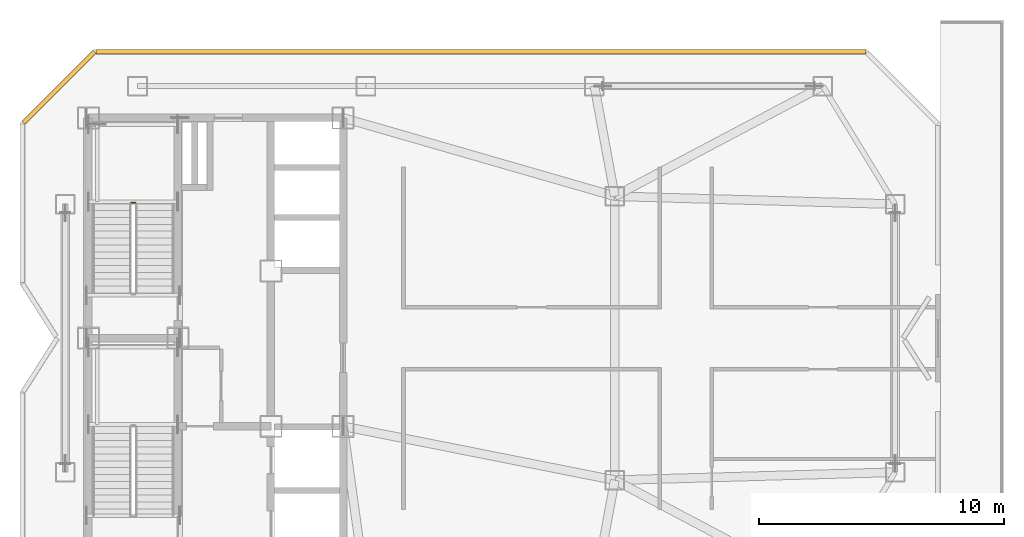
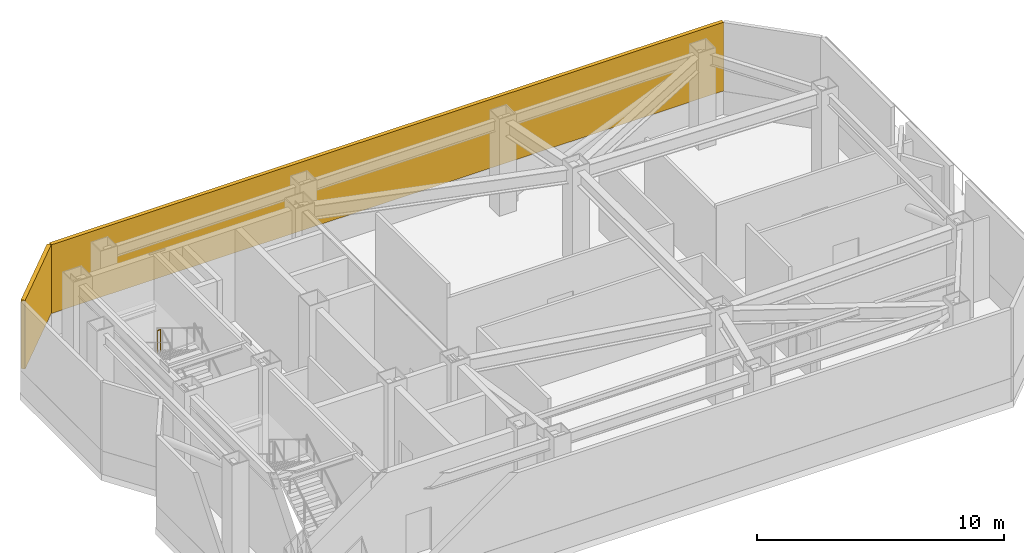
# One storey, part 9 of 10: 2 shading devices, 1 railing.
"""IFC4 building model written with IfcOpenShell, lengths in metres."""

from ifc_helpers import new_model, si_unit, direction, frame, origin, origin_2d, place, context, subcontext, project, spatial, rectangle, circle, extrude, material, type_object, element, save


model = new_model("IFC4")

# Units and contexts
model_context = context("Model", 3, precision=1e-05, world=origin(), true_north=direction((0.0, 1.0)))
body_context = subcontext(model_context, "Body", "Model", "MODEL_VIEW")
ifc_project = project(units=[si_unit("LENGTHUNIT", "METRE"), si_unit("AREAUNIT", "SQUARE_METRE"), si_unit("VOLUMEUNIT", "CUBIC_METRE"), si_unit("PLANEANGLEUNIT", "RADIAN"), si_unit("MASSUNIT", "GRAM", prefix="KILO")], contexts=[model_context])

# Site, building, storey
site_placement = place(None, origin())
site = spatial("IfcSite", under=ifc_project, at=site_placement, CompositionType="ELEMENT")
building_placement = place(site_placement, origin())
building = spatial("IfcBuilding", under=site, at=building_placement, Name="Khamvora Tower", CompositionType="ELEMENT")
storey_placement = place(building_placement, frame((0.0, 0.0, 303.050048828125)))
storey = spatial("IfcBuildingStorey", under=building, at=storey_placement, Name="L77", CompositionType="ELEMENT", Elevation=303.050048828125)

# Railing
ifc_material_1 = material(Name="Stainless Steel 316", Category="steel")
railing_type = type_object("IfcRailingType", Name="RAL-STG-1100", PredefinedType="GUARDRAIL", material=ifc_material_1)
railing_placement = place(storey_placement, frame((30.89990234375, 33.5400390625, 2.39990234375)))
element("IfcRailing", 1, at=railing_placement, inside=storey, type_object=railing_type, Name="L77 ST-02 stair guard 2", PredefinedType="GUARDRAIL", context=body_context, shape_type="SweptSolid", body=[
    extrude(circle(Radius=0.02392578125, at=origin_2d()), frame((0.0, 0.0, 1.076171875), z_axis=(-1.0, 0.0, 0.0), x_axis=(0.0, -1.0, 0.0)), (0.0, 0.0, 1.0), 0.14990234375),
    extrude(circle(Radius=0.02099609375, at=origin_2d()), origin(), (0.0, 0.0, 1.0), 1.052001953125),
    extrude(circle(Radius=0.02099609375, at=origin_2d()), frame((-0.14990234375, 0.0, 0.0)), (0.0, 0.0, 1.0), 1.052001953125),
])

# Shading devices
ifc_material_2 = material(Name="Pale Anodised Aluminium 6063-T6", Category="aluminium")
shading_device_type = type_object("IfcShadingDeviceType", Name="SHD-LVR-150", PredefinedType="JALOUSIE", material=ifc_material_2)
shading_device_1_placement = place(storey_placement, frame((27.79296875, 38.251953125, 1.14990234375), z_axis=(0.0, 0.0, 1.0), x_axis=(0.707106781187, 0.707106781187, 0.0)))
element("IfcShadingDevice", 2, at=shading_device_1_placement, inside=storey, type_object=shading_device_type, Name="L77 mechanical weather louvre 06.1", PredefinedType="JALOUSIE", context=body_context, shape_type="SweptSolid", body=[
    extrude(rectangle(XDim=4.096923828125, YDim=0.179931640625, at=origin_2d()), origin(), (0.0, 0.0, 1.0), 3.39990234375),
])
shading_device_2_placement = place(storey_placement, frame((45.031005859375, 39.699951171875, 1.14990234375), z_axis=(0.0, 0.0, 1.0), x_axis=(1.0, 0.0, 0.0)))
element("IfcShadingDevice", 3, at=shading_device_2_placement, inside=storey, type_object=shading_device_type, Name="L77 mechanical weather louvre 07.1", PredefinedType="JALOUSIE", context=body_context, shape_type="SweptSolid", body=[
    extrude(rectangle(XDim=31.45703125, YDim=0.179931640625, at=origin_2d()), origin(), (0.0, 0.0, 1.0), 3.39990234375),
])

save(model, "model.ifc")
